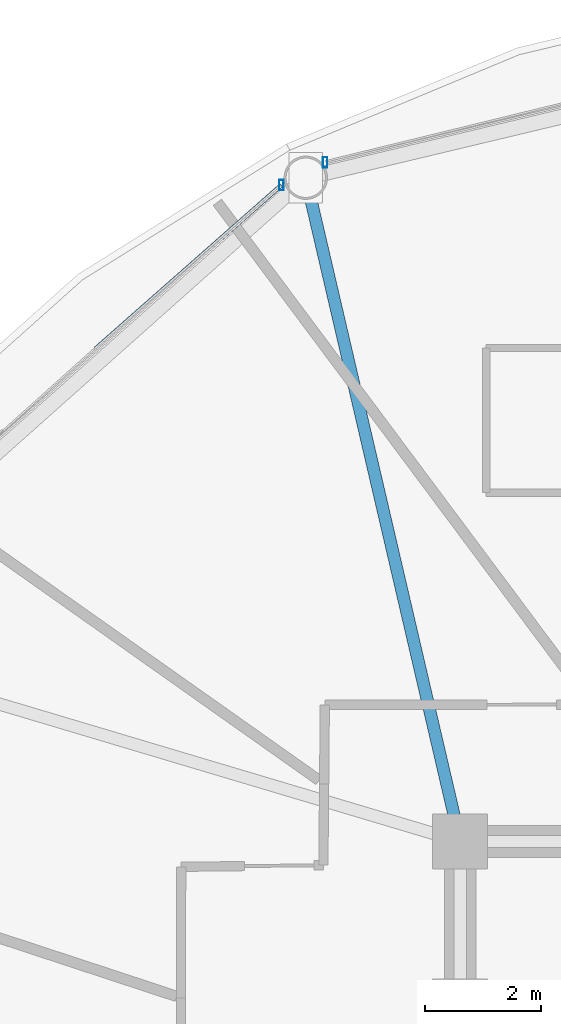
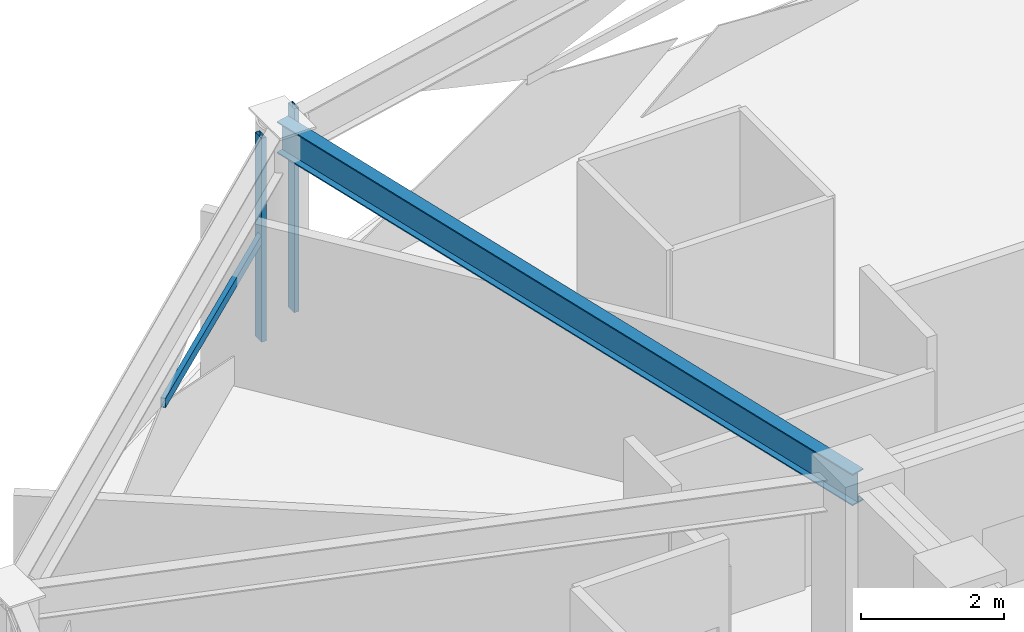
# One storey, part 15 of 29: 3 members, 1 beam, 2 elements without a shape of their own.
"""IFC4 building model written with IfcOpenShell, lengths in metres."""

import ifcopenshell
import ifcopenshell.guid

model = None  # the IFC model being written
_history = None  # IfcOwnerHistory: only IFC2X3 demands one
_inside = {}  # id of a spatial element -> (the spatial element, [elements in it])
_under = {}  # id of a project, library or spatial element -> (it, [spatial elements below it])
_declared = {}  # id of a project -> (the project, [libraries it declares])
_typed = {}  # id of a type object -> (the type object, [elements of that type])
_made_of = {}  # id of a material, layer set ... -> (it, [elements and type objects made of it])


def new_model(schema):
    """Start an empty IFC model of exactly this schema.

    Asked for "IFC4X3", IfcOpenShell would pick the latest addendum, in which some entities
    have other attributes; the version numbers below select the first issue.
    IFC2X3 requires an IfcOwnerHistory on every rooted entity: one is made here for all.
    """
    global model, _history
    if schema == "IFC4X3":
        model = ifcopenshell.file(schema_version=(4, 3, 0, 0))
    else:
        model = ifcopenshell.file(schema=schema)
    _inside.clear()
    _under.clear()
    _declared.clear()
    _typed.clear()
    _made_of.clear()
    _history = None
    if model.schema == "IFC2X3":
        org = make("IfcOrganization", Name="unknown")
        user = make(
            "IfcPersonAndOrganization",
            ThePerson=make("IfcPerson", FamilyName="unknown"),
            TheOrganization=org,
        )
        app = make(
            "IfcApplication",
            ApplicationDeveloper=org,
            Version="unknown",
            ApplicationFullName="unknown",
            ApplicationIdentifier="unknown",
        )
        _history = make(
            "IfcOwnerHistory",
            OwningUser=user,
            OwningApplication=app,
            ChangeAction="ADDED",
            CreationDate=0,
        )
    return model


def make(cls, **values):
    """One entity of the class cls with the attributes given. An attribute that is None is left unset."""
    return model.create_entity(
        cls, **{name: value for name, value in values.items() if value is not None}
    )


def rooted(cls, **values):
    """An entity with a GlobalId (a new one), such as an element, a storey or a relation."""
    return make(cls, GlobalId=ifcopenshell.guid.new(), OwnerHistory=_history, **values)


def si_unit(unit_type, name, prefix=None):
    """IfcSIUnit, for example si_unit("LENGTHUNIT", "METRE", prefix="MILLI")."""
    return make("IfcSIUnit", UnitType=unit_type, Prefix=prefix, Name=name)


def assignment(units):
    """IfcUnitAssignment: the units of a project."""
    return None if units is None else make("IfcUnitAssignment", Units=units)


def point(xyz):
    """IfcCartesianPoint."""
    return None if xyz is None else make("IfcCartesianPoint", Coordinates=xyz)


def direction(xyz):
    """IfcDirection."""
    return None if xyz is None else make("IfcDirection", DirectionRatios=xyz)


def frame(location, z_axis=None, x_axis=None):
    """IfcAxis2Placement3D, a coordinate frame: its origin and axes. An axis left out is left unset."""
    return make(
        "IfcAxis2Placement3D",
        Location=point(location),
        Axis=direction(z_axis),
        RefDirection=direction(x_axis),
    )


def frame_2d(location, x_axis=None):
    """IfcAxis2Placement2D, a coordinate frame in the plane: its origin and x axis."""
    return make(
        "IfcAxis2Placement2D", Location=point(location), RefDirection=direction(x_axis)
    )


def origin():
    """The frame at (0, 0, 0) with its axes left unset."""
    return frame((0.0, 0.0, 0.0))


def origin_2d():
    """The frame at (0, 0) in the plane with its x axis left unset."""
    return frame_2d((0.0, 0.0))


def place(relative_to, where):
    """IfcLocalPlacement: puts the frame where relative to a parent placement (None: the world)."""
    return make(
        "IfcLocalPlacement", PlacementRelTo=relative_to, RelativePlacement=where
    )


def context(
    kind, dimensions, precision=None, world=None, true_north=None, identifier=None
):
    """IfcGeometricRepresentationContext, for example the 3D "Model" context."""
    return make(
        "IfcGeometricRepresentationContext",
        ContextIdentifier=identifier,
        ContextType=kind,
        CoordinateSpaceDimension=dimensions,
        Precision=precision,
        WorldCoordinateSystem=world,
        TrueNorth=true_north,
    )


def subcontext(parent, identifier, kind, view, scale=None):
    """IfcGeometricRepresentationSubContext, for example "Body" below "Model"."""
    return make(
        "IfcGeometricRepresentationSubContext",
        ContextIdentifier=identifier,
        ContextType=kind,
        ParentContext=parent,
        TargetScale=scale,
        TargetView=view,
    )


def project(units=None, contexts=None):
    """IfcProject with its units and contexts."""
    return rooted(
        "IfcProject",
        Name="project",
        RepresentationContexts=contexts,
        UnitsInContext=assignment(units),
    )


def spatial(cls, under=None, at=None, **own):
    """A site, building, storey or space (cls), placed at a placement, below another one or the project."""
    s = rooted(cls, ObjectPlacement=at, **own)
    if under is not None:
        _under.setdefault(under.id(), (under, []))[1].append(s)
    return s


def profile(cls, at=None, kind="AREA", **sizes):
    """A parametric profile (cls). Its sizes go by their IFC names, for example OverallWidth=200.0."""
    return make(cls, ProfileType=kind, Position=at, **sizes)


def hollow_rectangle(**sizes):
    """IfcRectangleHollowProfileDef."""
    return profile("IfcRectangleHollowProfileDef", **sizes)


def i_section(**sizes):
    """IfcIShapeProfileDef."""
    return profile("IfcIShapeProfileDef", **sizes)


def extrude(swept, where, along, depth):
    """IfcExtrudedAreaSolid: the profile swept, set in the frame where, extruded along a direction by depth."""
    return make(
        "IfcExtrudedAreaSolid",
        SweptArea=swept,
        Position=where,
        ExtrudedDirection=direction(along),
        Depth=depth,
    )


def shape(context_of_items, identifier, shape_type, items):
    """IfcShapeRepresentation: the items that make up one representation, for example the "Body"."""
    return make(
        "IfcShapeRepresentation",
        ContextOfItems=context_of_items,
        RepresentationIdentifier=identifier,
        RepresentationType=shape_type,
        Items=items,
    )


def material(Name=None, Category=None):
    """IfcMaterial."""
    return make("IfcMaterial", Name=Name, Category=Category)


def layer(
    of_material, thickness, ventilated=None, Name=None, Category=None, Priority=None
):
    """IfcMaterialLayer: one layer of a wall or slab, of a material (None: an air gap)."""
    return make(
        "IfcMaterialLayer",
        Material=of_material,
        LayerThickness=thickness,
        IsVentilated=ventilated,
        Name=Name,
        Category=Category,
        Priority=Priority,
    )


def layer_set(layers, Name=None):
    """IfcMaterialLayerSet."""
    return make("IfcMaterialLayerSet", MaterialLayers=layers, LayerSetName=Name)


def material_profile(
    of_material, cross_section, Name=None, Category=None, Priority=None
):
    """IfcMaterialProfile: a cross section and its material."""
    return make(
        "IfcMaterialProfile",
        Name=Name,
        Material=of_material,
        Profile=cross_section,
        Priority=Priority,
        Category=Category,
    )


def profile_set(profiles, Name=None, composite=None):
    """IfcMaterialProfileSet."""
    return make(
        "IfcMaterialProfileSet",
        Name=Name,
        MaterialProfiles=profiles,
        CompositeProfile=composite,
    )


def made_of(thing, what):
    """Note that an element or type object is made of a material, layer set ...; save() writes the relation."""
    if what is not None:
        _made_of.setdefault(what.id(), (what, []))[1].append(thing)
    return thing


def type_object(cls, material=None, **own):
    """A type object (cls), such as IfcWallType, which elements share."""
    return made_of(rooted(cls, **own), material)


def element(
    cls,
    number,
    at=None,
    inside=None,
    cuts=None,
    type_object=None,
    material=None,
    context=None,
    identifier="Body",
    shape_type=None,
    held_by="IfcProductDefinitionShape",
    body=None,
    shapes=None,
    **own,
):
    """One element of the class cls, such as IfcWall. Its Tag is "e" and its number.

    at: its placement. inside: the storey or other place that contains it. cuts: it is an
    opening in that element (IfcRelVoidsElement). A single representation is given by context,
    identifier, shape_type and body (its items); several are given by shapes. held_by: the class
    of the entity that holds the representations. save() writes the other relations.
    """
    e = rooted(cls, Tag="e%d" % number, ObjectPlacement=at, **own)
    if body is not None:
        shapes = [shape(context, identifier, shape_type, body)]
    if shapes is not None:
        e.Representation = make(held_by, Representations=shapes)
    if inside is not None:
        _inside.setdefault(inside.id(), (inside, []))[1].append(e)
    if cuts is not None:
        rooted(
            "IfcRelVoidsElement", RelatingBuildingElement=cuts, RelatedOpeningElement=e
        )
    if type_object is not None:
        _typed.setdefault(type_object.id(), (type_object, []))[1].append(e)
    return made_of(e, material)


def aggregate(whole, parts):
    """IfcRelAggregates: a whole, such as a stair, and the parts it consists of."""
    return rooted("IfcRelAggregates", RelatingObject=whole, RelatedObjects=parts)


def save(model, path):
    """Write the relations noted so far, then the file.

    IfcRelAggregates (storeys below a building ...), IfcRelContainedInSpatialStructure (elements
    in a storey), IfcRelDefinesByType, IfcRelAssociatesMaterial and IfcRelDeclares: one each for
    every whole, place, type object, material and project.
    """
    for whole, parts in _under.values():
        aggregate(whole, parts)
    for where, things in _inside.values():
        rooted(
            "IfcRelContainedInSpatialStructure",
            RelatedElements=things,
            RelatingStructure=where,
        )
    for kind, things in _typed.values():
        rooted("IfcRelDefinesByType", RelatedObjects=things, RelatingType=kind)
    for what, things in _made_of.values():
        rooted("IfcRelAssociatesMaterial", RelatedObjects=things, RelatingMaterial=what)
    for by, libraries in _declared.values():
        rooted("IfcRelDeclares", RelatingContext=by, RelatedDefinitions=libraries)
    model.write(path)


model = new_model("IFC4")

# Units and contexts
model_context = context("Model", 3, precision=1e-05, world=origin(), true_north=direction((0.0, 1.0)))
body_context = subcontext(model_context, "Body", "Model", "MODEL_VIEW")
ifc_project = project(units=[si_unit("LENGTHUNIT", "METRE"), si_unit("AREAUNIT", "SQUARE_METRE"), si_unit("VOLUMEUNIT", "CUBIC_METRE"), si_unit("PLANEANGLEUNIT", "RADIAN"), si_unit("MASSUNIT", "GRAM", prefix="KILO")], contexts=[model_context])

# Site, building, storey
site_placement = place(None, origin())
site = spatial("IfcSite", under=ifc_project, at=site_placement, CompositionType="ELEMENT")
building_placement = place(site_placement, origin())
building = spatial("IfcBuilding", under=site, at=building_placement, Name="Vantalir Tower", CompositionType="ELEMENT")
storey_placement = place(building_placement, frame((0.0, 0.0, 168.449951171875)))
storey = spatial("IfcBuildingStorey", under=building, at=storey_placement, Name="L42", CompositionType="ELEMENT", Elevation=168.449951171875)

# Beam
ifc_material_1 = material(Name="Steel S355", Category="steel")
ifc_material_profile_1 = material_profile(ifc_material_1, i_section(OverallWidth=0.2109375, OverallDepth=0.5390625, WebThickness=0.01171875, FlangeThickness=0.018798828125, at=origin_2d()), Name="Steel S355")
ifc_profile_set_1 = profile_set([ifc_material_profile_1], Name="Steel S355")
beam_type = type_object("IfcBeamType", Name="BM-RB-533x210", PredefinedType="BEAM", material=ifc_profile_set_1)
beam_placement = place(storey_placement, frame((19.23193359375, 43.9208984375, 3.301025390625), z_axis=(0.226538191981, -0.974002283146, 0.0), x_axis=(0.974002283146, 0.226538191981, 0.0)))
element("IfcBeam", 1, at=beam_placement, inside=storey, type_object=beam_type, Name="L42 Radial Floor Beam 05", PredefinedType="BEAM", context=body_context, shape_type="SweptSolid", body=[
    extrude(i_section(OverallWidth=0.2109375, OverallDepth=0.5390625, WebThickness=0.01171875, FlangeThickness=0.018798828125, at=origin_2d()), origin(), (0.0, 0.0, 1.0), 11.777099609375),
])

# Curtain wall, member
ifc_material_2 = material(Name="Champagne-silver PVDF aluminium and double-silver Low-E glass", Category="aluminium")
ifc_layer = layer(ifc_material_2, 0.199951171875)
ifc_layer_set = layer_set([ifc_layer], Name="Champagne-silver PVDF aluminium and double-silver Low-E glass")
curtain_wall_type = type_object("IfcCurtainWallType", Name="CW-DIAMOND-Z2", PredefinedType="USERDEFINED", material=ifc_layer_set)
curtain_wall_1_placement = place(storey_placement, origin())
curtain_wall_1 = element("IfcCurtainWall", 2, at=curtain_wall_1_placement, inside=storey, type_object=curtain_wall_type, Name="L42 Quilted Pyramid-Diamond Curtain Wall S04", ObjectType="UNITISED CURTAIN WALL", PredefinedType="USERDEFINED")
ifc_material_3 = material(Name="Champagne-silver PVDF aluminium 6063-T6", Category="aluminium")
ifc_material_profile_2 = material_profile(ifc_material_3, hollow_rectangle(XDim=0.074951171875, YDim=0.179931640625, WallThickness=0.00390625, at=origin_2d()), Name="Champagne-silver PVDF aluminium 6063-T6")
ifc_profile_set_2 = profile_set([ifc_material_profile_2], Name="Champagne-silver PVDF aluminium 6063-T6")
member_type_1 = type_object("IfcMemberType", Name="CWM-180x75", PredefinedType="MULLION", material=ifc_profile_set_2)
member_1_placement = place(storey_placement, frame((19.56494140625, 44.18701171875, 0.045166015625), z_axis=(0.0, 0.0, 1.0), x_axis=(1.0, 0.0, 0.0)))
member_1 = element("IfcMember", 3, at=member_1_placement, type_object=member_type_1, Name="CW-L42-S04 Mullion 2", PredefinedType="MULLION", context=body_context, shape_type="SweptSolid", body=[
    extrude(hollow_rectangle(XDim=0.074951171875, YDim=0.179931640625, WallThickness=0.00390625, at=origin_2d()), origin(), (0.0, 0.0, 1.0), 3.47998046875),
])
aggregate(curtain_wall_1, [member_1])

# Curtain wall, members
curtain_wall_2_placement = place(storey_placement, origin())
curtain_wall_2 = element("IfcCurtainWall", 4, at=curtain_wall_2_placement, inside=storey, type_object=curtain_wall_type, Name="L42 Quilted Pyramid-Diamond Curtain Wall S05", ObjectType="UNITISED CURTAIN WALL", PredefinedType="USERDEFINED")
member_2_placement = place(storey_placement, frame((18.80908203125, 43.7919921875, 0.045166015625), z_axis=(0.0, 0.0, 1.0), x_axis=(1.0, 0.0, 0.0)))
member_2 = element("IfcMember", 5, at=member_2_placement, type_object=member_type_1, Name="CW-L42-S05 Mullion 1", PredefinedType="MULLION", context=body_context, shape_type="SweptSolid", body=[
    extrude(hollow_rectangle(XDim=0.074951171875, YDim=0.179931640625, WallThickness=0.00390625, at=origin_2d()), origin(), (0.0, 0.0, 1.0), 3.47998046875),
])
ifc_material_profile_3 = material_profile(ifc_material_3, hollow_rectangle(XDim=0.074951171875, YDim=0.159912109375, WallThickness=0.00390625, at=origin_2d()), Name="Champagne-silver PVDF aluminium 6063-T6")
ifc_profile_set_3 = profile_set([ifc_material_profile_3], Name="Champagne-silver PVDF aluminium 6063-T6")
member_type_2 = type_object("IfcMemberType", Name="CWT-160x75", PredefinedType="USERDEFINED", material=ifc_profile_set_3)
member_3_placement = place(storey_placement, frame((18.80908203125, 43.7919921875, 1.78515625), z_axis=(-0.750392725448, -0.660992252296, 0.0), x_axis=(0.660992252296, -0.750392725448, 0.0)))
member_3 = element("IfcMember", 6, at=member_3_placement, type_object=member_type_2, Name="CW-L42-S05 Pyramid Fold Ridge Transom", ObjectType="TRANSOM", PredefinedType="USERDEFINED", context=body_context, shape_type="SweptSolid", body=[
    extrude(hollow_rectangle(XDim=0.074951171875, YDim=0.159912109375, WallThickness=0.00390625, at=origin_2d()), origin(), (0.0, 0.0, 1.0), 4.27392578125),
])
aggregate(curtain_wall_2, [member_2, member_3])

save(model, "model.ifc")
